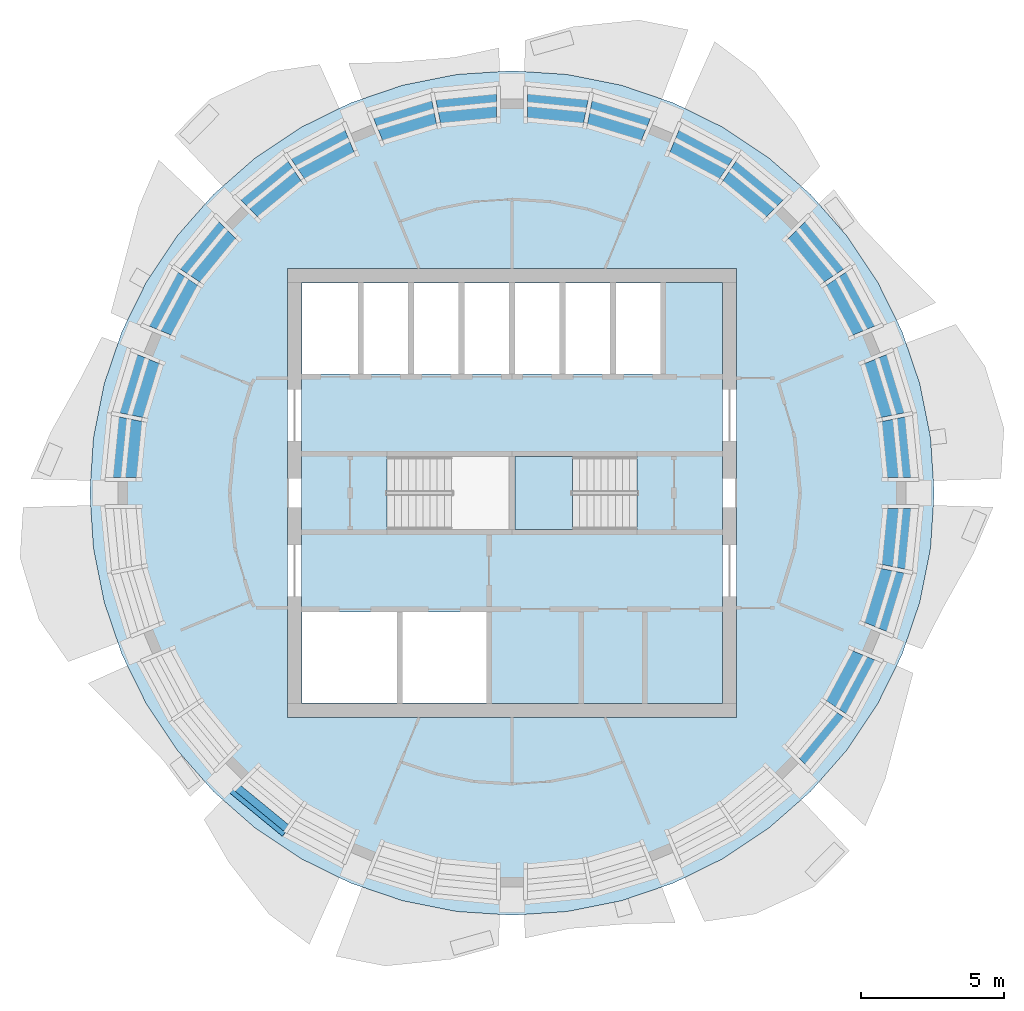
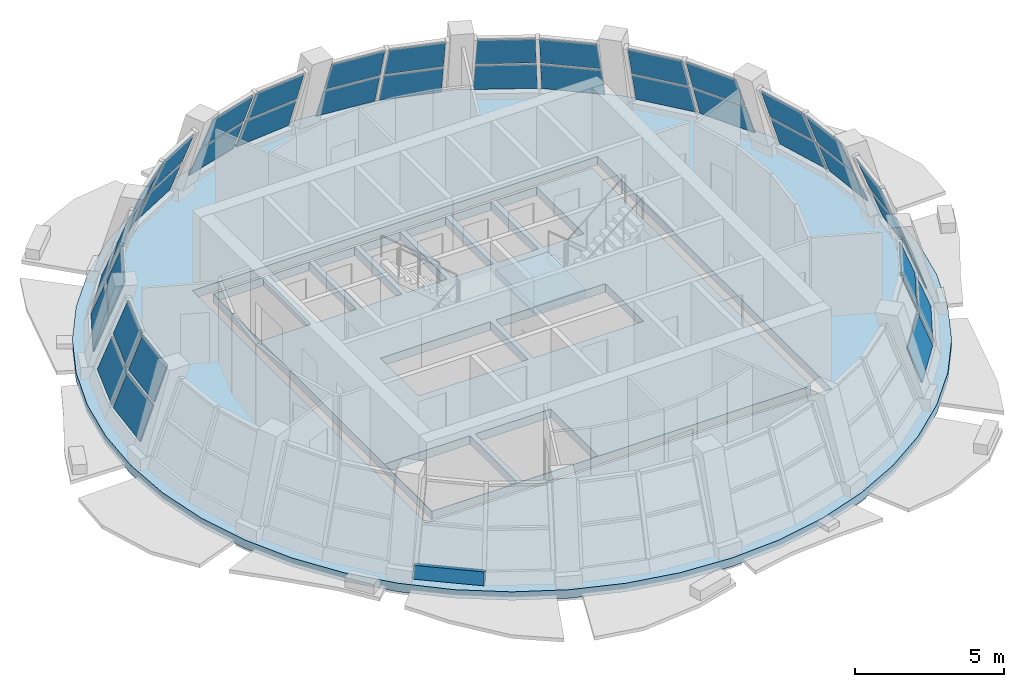
# One storey, part 4 of 12: 39 plates, 3 slabs, 1 wall, 11 elements without a shape of their own.
"""IFC4 building model written with IfcOpenShell, lengths in metres."""

from ifc_helpers import new_model, si_unit, direction, frame, origin, place, context, subcontext, project, spatial, polyline, outline, extrude, material, layer, layer_set, type_object, element, aggregate, save


model = new_model("IFC4")

# Units and contexts
model_context = context("Model", 3, precision=1e-05, world=origin(), true_north=direction((0.0, 1.0)))
body_context = subcontext(model_context, "Body", "Model", "MODEL_VIEW")
ifc_project = project(units=[si_unit("LENGTHUNIT", "METRE"), si_unit("AREAUNIT", "SQUARE_METRE"), si_unit("VOLUMEUNIT", "CUBIC_METRE"), si_unit("PLANEANGLEUNIT", "RADIAN"), si_unit("MASSUNIT", "GRAM", prefix="KILO")], contexts=[model_context])

# Site, building, storey
site_placement = place(None, origin())
site = spatial("IfcSite", under=ifc_project, at=site_placement, CompositionType="ELEMENT")
building_placement = place(site_placement, origin())
building = spatial("IfcBuilding", under=site, at=building_placement, Name="Polderwave Tower", CompositionType="ELEMENT")
storey_placement = place(building_placement, frame((0.0, 0.0, 231.199951171875)))
storey = spatial("IfcBuildingStorey", under=building, at=storey_placement, Name="L63", CompositionType="ELEMENT", Elevation=231.199951171875)

# Slabs
ifc_material_1 = material(Name="Concrete C40/50", Category="concrete")
ifc_layer_1 = layer(ifc_material_1, 0.35009765625)
ifc_layer_set_1 = layer_set([ifc_layer_1], Name="Core floor slab 350")
slab_type_1 = type_object("IfcSlabType", Name="Core floor slab 350", PredefinedType="FLOOR", material=ifc_layer_set_1)
slab_1_placement = place(storey_placement, frame((0.0, 0.0, -0.349853515625)))
element("IfcSlab", 1, at=slab_1_placement, inside=storey, type_object=slab_type_1, Name="L63 core floor", PredefinedType="FLOOR", context=body_context, shape_type="SweptSolid", body=[
    extrude(outline(polyline([(-7.3740234375, -7.3740234375), (7.3740234375, -7.3740234375), (7.3740234375, 7.3740234375), (-7.3740234375, 7.3740234375), (-7.3740234375, -7.3740234375)]), holes=[polyline([(-7.35400390625, -7.35400390625), (-4.037109375, -7.35400390625), (-4.037109375, -4.174072265625), (-7.35400390625, -4.174072265625), (-7.35400390625, -7.35400390625)]), polyline([(-3.8369140625, -7.35400390625), (-0.89990234375, -7.35400390625), (-0.89990234375, -4.174072265625), (-3.8369140625, -4.174072265625), (-3.8369140625, -7.35400390625)]), polyline([(-7.35400390625, 4.174072265625), (-5.405517578125, 4.174072265625), (-5.405517578125, 7.35400390625), (-7.35400390625, 7.35400390625), (-7.35400390625, 4.174072265625)]), polyline([(-5.20556640625, 4.174072265625), (-3.636962890625, 4.174072265625), (-3.636962890625, 7.35400390625), (-5.20556640625, 7.35400390625), (-5.20556640625, 4.174072265625)]), polyline([(-3.43701171875, 4.174072265625), (-1.868408203125, 4.174072265625), (-1.868408203125, 7.35400390625), (-3.43701171875, 7.35400390625), (-3.43701171875, 4.174072265625)]), polyline([(-1.66845703125, 4.174072265625), (-0.10009765625, 4.174072265625), (-0.10009765625, 7.35400390625), (-1.66845703125, 7.35400390625), (-1.66845703125, 4.174072265625)]), polyline([(0.10009765625, 4.174072265625), (1.66845703125, 4.174072265625), (1.66845703125, 7.35400390625), (0.10009765625, 7.35400390625), (0.10009765625, 4.174072265625)]), polyline([(1.868408203125, 4.174072265625), (3.43701171875, 4.174072265625), (3.43701171875, 7.35400390625), (1.868408203125, 7.35400390625), (1.868408203125, 4.174072265625)]), polyline([(3.636962890625, 4.174072265625), (5.20556640625, 4.174072265625), (5.20556640625, 7.35400390625), (3.636962890625, 7.35400390625), (3.636962890625, 4.174072265625)]), polyline([(-4.37353515625, -1.2744140625), (-0.1005859375, -1.2744140625), (-0.1005859375, 1.2744140625), (-4.37353515625, 1.2744140625), (-4.37353515625, -1.2744140625)]), polyline([(0.1005859375, -1.2744140625), (4.37353515625, -1.2744140625), (4.37353515625, 1.2744140625), (0.1005859375, 1.2744140625), (0.1005859375, -1.2744140625)])]), origin(), (0.0, 0.0, 1.0), 0.349853515625),
])
ifc_layer_2 = layer(ifc_material_1, 0.35009765625)
ifc_layer_set_2 = layer_set([ifc_layer_2], Name="PT FLOOR SLAB 350 C40/50")
slab_type_2 = type_object("IfcSlabType", Name="PT FLOOR SLAB 350 C40/50", PredefinedType="FLOOR", material=ifc_layer_set_2)
slab_2_placement = place(storey_placement, frame((0.0, 0.0, -0.349853515625)))
element("IfcSlab", 2, at=slab_2_placement, inside=storey, type_object=slab_type_2, Name="ST-SLAB-L63", PredefinedType="FLOOR", context=body_context, shape_type="SweptSolid", body=[
    extrude(outline(polyline([(14.800048828125, 0.0), (14.67333984375, 1.931884765625), (14.295654296875, 3.83056640625), (13.67333984375, 5.663818359375), (12.817138671875, 7.39990234375), (11.74169921875, 9.009765625), (10.465087890625, 10.465087890625), (9.009765625, 11.74169921875), (7.39990234375, 12.817138671875), (5.663818359375, 13.67333984375), (3.83056640625, 14.295654296875), (1.931884765625, 14.67333984375), (0.0, 14.800048828125), (-1.931884765625, 14.67333984375), (-3.83056640625, 14.295654296875), (-5.663818359375, 13.67333984375), (-7.39990234375, 12.817138671875), (-9.009765625, 11.74169921875), (-10.465087890625, 10.465087890625), (-11.74169921875, 9.009765625), (-12.817138671875, 7.39990234375), (-13.67333984375, 5.663818359375), (-14.295654296875, 3.83056640625), (-14.67333984375, 1.931884765625), (-14.800048828125, 0.0), (-14.67333984375, -1.931884765625), (-14.295654296875, -3.83056640625), (-13.67333984375, -5.663818359375), (-12.817138671875, -7.39990234375), (-11.74169921875, -9.009765625), (-10.465087890625, -10.465087890625), (-9.009765625, -11.74169921875), (-7.39990234375, -12.817138671875), (-5.663818359375, -13.67333984375), (-3.83056640625, -14.295654296875), (-1.931884765625, -14.67333984375), (0.0, -14.800048828125), (1.931884765625, -14.67333984375), (3.83056640625, -14.295654296875), (5.663818359375, -13.67333984375), (7.39990234375, -12.817138671875), (9.009765625, -11.74169921875), (10.465087890625, -10.465087890625), (11.74169921875, -9.009765625), (12.817138671875, -7.39990234375), (13.67333984375, -5.663818359375), (14.295654296875, -3.83056640625), (14.67333984375, -1.931884765625), (14.800048828125, 0.0)]), holes=[polyline([(-7.8740234375, -7.8740234375), (7.8740234375, -7.8740234375), (7.8740234375, 7.8740234375), (-7.8740234375, 7.8740234375), (-7.8740234375, -7.8740234375)])]), origin(), (0.0, 0.0, 1.0), 0.349853515625),
])

# Curtain wall, plates
ifc_material_2 = material(Name="Aluminium 6063-T6 and glass", Category="aluminium")
curtain_wall_type = type_object("IfcCurtainWallType", Name="Sky floor glazing, leaning storey wall", PredefinedType="NOTDEFINED", material=ifc_material_2)
curtain_wall_1_placement = place(storey_placement, origin())
curtain_wall_1 = element("IfcCurtainWall", 3, at=curtain_wall_1_placement, inside=storey, type_object=curtain_wall_type, Name="CW10 L63 00", PredefinedType="NOTDEFINED")
ifc_material_3 = material(Name="Glass, low-e laminated double glazing", Category="glass")
ifc_layer_3 = layer(ifc_material_3, 0.0439453125)
ifc_layer_set_3 = layer_set([ifc_layer_3], Name="Sky floor glazing, leaning storey glass panel 44 mm")
plate_type = type_object("IfcPlateType", Name="Sky floor glazing, leaning storey glass panel 44 mm", PredefinedType="CURTAIN_PANEL", material=ifc_layer_set_3)
plate_1_placement = place(storey_placement, frame((14.153564453125, 0.539306640625, 0.449951171875), z_axis=(0.930399256393, 0.091647065086, 0.354905676434), x_axis=(-0.09802095897, 0.995184350361, -1.9998532e-05)))
plate_1 = element("IfcPlate", 4, at=plate_1_placement, type_object=plate_type, Name="CW10 panel 1", PredefinedType="CURTAIN_PANEL", context=body_context, shape_type="SweptSolid", body=[
    extrude(outline(polyline([(0.0, 0.0), (2.1730510868447466, 1.3877787807814457e-17), (2.123713377479386, 1.4172538760449493), (0.049510457284205195, 1.4174241631550535), (0.0, 0.0)])), origin(), (0.0, 0.0, -1.0), 0.0439453125),
])
plate_2_placement = place(storey_placement, frame((13.60986328125, 0.539306640625, 1.875), z_axis=(0.930405426232, 0.09147355592, 0.354934263499), x_axis=(-0.097839480938, 0.99520220851, -1.2117476e-05)))
plate_2 = element("IfcPlate", 5, at=plate_2_placement, type_object=plate_type, Name="CW10 panel 2", PredefinedType="CURTAIN_PANEL", context=body_context, shape_type="SweptSolid", body=[
    extrude(outline(polyline([(0.0, 0.0), (2.066794359597762, -1.3877787807814457e-17), (2.0173753493965147, 1.4172510469834025), (0.049429190430116225, 1.4171987512009916), (0.0, 0.0)])), origin(), (0.0, 0.0, -1.0), 0.0439453125),
])
plate_3_placement = place(storey_placement, frame((13.913330078125, 2.838623046875, 0.449951171875), z_axis=(0.894809000311, 0.271232427198, 0.354612215524), x_axis=(-0.290084544727, 0.957001022418, 1.554744e-06)))
plate_3 = element("IfcPlate", 6, at=plate_3_placement, type_object=plate_type, Name="CW10 panel 3", PredefinedType="CURTAIN_PANEL", context=body_context, shape_type="SweptSolid", body=[
    extrude(outline(polyline([(0.0, 0.0), (2.173030518417298, -2.7755575615628914e-17), (2.1233271967300715, 1.4172972510548516), (0.049540666105299724, 1.4173043126788745), (0.0, 0.0)])), origin(), (0.0, 0.0, -1.0), 0.0439453125),
])
plate_4_placement = place(storey_placement, frame((13.380615234375, 2.73291015625, 1.875), z_axis=(0.894718657232, 0.27137026991, 0.354734691015), x_axis=(-0.290253372262, 0.956949831213, 2.0785959e-05)))
plate_4 = element("IfcPlate", 7, at=plate_4_placement, type_object=plate_type, Name="CW10 panel 4", PredefinedType="CURTAIN_PANEL", context=body_context, shape_type="SweptSolid", body=[
    extrude(outline(polyline([(0.0, 0.0), (2.0662815475198637, 2.7755575615628914e-17), (2.0164587458656196, 1.4173263792306952), (0.049725676052363506, 1.417154918046384), (0.0, 0.0)])), origin(), (0.0, 0.0, -1.0), 0.0439453125),
])
aggregate(curtain_wall_1, [plate_1, plate_2, plate_3, plate_4])

curtain_wall_2_placement = place(storey_placement, origin())
curtain_wall_2 = element("IfcCurtainWall", 8, at=curtain_wall_2_placement, inside=storey, type_object=curtain_wall_type, Name="CW10 L63 01", PredefinedType="NOTDEFINED")
plate_5_placement = place(storey_placement, frame((12.870361328125, 5.914794921875, 0.449951171875), z_axis=(0.824407783297, 0.440896705905, 0.354911117833), x_axis=(-0.471601238954, 0.881811925132, 1.0591349e-05)))
plate_5 = element("IfcPlate", 9, at=plate_5_placement, type_object=plate_type, Name="CW10 panel 1", PredefinedType="CURTAIN_PANEL", context=body_context, shape_type="SweptSolid", body=[
    extrude(outline(polyline([(0.0, 0.0), (2.1731259280979955, 5.551115123125783e-17), (2.123711742939144, 1.4171875194744041), (0.04954926839159157, 1.4174967772826053), (0.0, 0.0)])), origin(), (0.0, 0.0, -1.0), 0.0439453125),
])
plate_6_placement = place(storey_placement, frame((12.3681640625, 5.70654296875, 1.875), z_axis=(0.824438831056, 0.440790758493, 0.354970591845), x_axis=(-0.471493402395, 0.881869588686, -7.029787e-06)))
plate_6 = element("IfcPlate", 10, at=plate_6_placement, type_object=plate_type, Name="CW10 panel 2", PredefinedType="CURTAIN_PANEL", context=body_context, shape_type="SweptSolid", body=[
    extrude(outline(polyline([(0.0, 0.0), (2.0666227169181397, 0.0), (2.017238796332703, 1.4172609769407765), (0.04967969089085741, 1.4172306420153777), (0.0, 0.0)])), origin(), (0.0, 0.0, -1.0), 0.0439453125),
])
plate_7_placement = place(storey_placement, frame((11.76806640625, 7.94677734375, 0.449951171875), z_axis=(0.72286643256, 0.592984766823, 0.354729737962), x_axis=(-0.63423540453, 0.773139994582, 2.0423625e-05)))
plate_7 = element("IfcPlate", 11, at=plate_7_placement, type_object=plate_type, Name="CW10 panel 3", PredefinedType="CURTAIN_PANEL", context=body_context, shape_type="SweptSolid", body=[
    extrude(outline(polyline([(0.0, 0.0), (2.1735961699449584, -5.551115123125783e-17), (2.1236660109590892, 1.4173219700936377), (0.04944311446927759, 1.4174147602038998), (0.0, 0.0)])), origin(), (0.0, 0.0, -1.0), 0.0439453125),
])
plate_8_placement = place(storey_placement, frame((11.31640625, 7.64501953125, 1.875), z_axis=(0.722710143515, 0.593158133114, 0.354758336874), x_axis=(-0.634430098693, 0.772980238523, 2.6926669e-05)))
plate_8 = element("IfcPlate", 12, at=plate_8_placement, type_object=plate_type, Name="CW10 panel 4", PredefinedType="CURTAIN_PANEL", context=body_context, shape_type="SweptSolid", body=[
    extrude(outline(polyline([(0.0, 0.0), (2.06668304705499, 0.0), (2.016888099069515, 1.417326723764326), (0.04957838295473363, 1.4171817775401245), (0.0, 0.0)])), origin(), (0.0, 0.0, -1.0), 0.0439453125),
])
aggregate(curtain_wall_2, [plate_5, plate_6, plate_7, plate_8])

curtain_wall_3_placement = place(storey_placement, origin())
curtain_wall_3 = element("IfcCurtainWall", 13, at=curtain_wall_3_placement, inside=storey, type_object=curtain_wall_type, Name="CW10 L63 02", PredefinedType="NOTDEFINED")
plate_9_placement = place(storey_placement, frame((9.627197265625, 10.389404296875, 0.449951171875), z_axis=(0.592967052885, 0.722757775373, 0.354980664729), x_axis=(-0.773107246266, 0.634275323318, -8.34618e-07)))
plate_9 = element("IfcPlate", 14, at=plate_9_placement, type_object=plate_type, Name="CW10 panel 1", PredefinedType="CURTAIN_PANEL", context=body_context, shape_type="SweptSolid", body=[
    extrude(outline(polyline([(0.0, 0.0), (2.173596173541578, 5.551115123125783e-17), (2.1239981991721435, 1.41725350271533), (0.04980920706495231, 1.417510858723486), (0.0, 0.0)])), origin(), (0.0, 0.0, -1.0), 0.0439453125),
])
plate_10_placement = place(storey_placement, frame((9.242431640625, 10.005126953125, 1.875), z_axis=(0.593136596283, 0.722581133892, 0.355057013862), x_axis=(-0.772941557402, 0.634477224829, -3.79675e-06)))
plate_10 = element("IfcPlate", 15, at=plate_10_placement, type_object=plate_type, Name="CW10 panel 2", PredefinedType="CURTAIN_PANEL", context=body_context, shape_type="SweptSolid", body=[
    extrude(outline(polyline([(0.0, 0.0), (2.06668305288994, 5.551115123125783e-17), (2.017138459739057, 1.4173037547171323), (0.04967385729591405, 1.4172873705524436), (0.0, 0.0)])), origin(), (0.0, 0.0, -1.0), 0.0439453125),
])
plate_11_placement = place(storey_placement, frame((7.8310546875, 11.845458984375, 0.449951171875), z_axis=(0.440991167485, 0.824426700023, 0.354749780113), x_axis=(-0.88177912994, 0.471662554961, 1.5797799e-05)))
plate_11 = element("IfcPlate", 16, at=plate_11_placement, type_object=plate_type, Name="CW10 panel 3", PredefinedType="CURTAIN_PANEL", context=body_context, shape_type="SweptSolid", body=[
    extrude(outline(polyline([(0.0, 0.0), (2.173125926910861, 5.551115123125783e-17), (2.1238069469218415, 1.4173440021161872), (0.0494141828115768, 1.4174157713407327), (0.0, 0.0)])), origin(), (0.0, 0.0, -1.0), 0.0439453125),
])
plate_12_placement = place(storey_placement, frame((7.529052734375, 11.393798828125, 1.875), z_axis=(0.44087727192, 0.824505874789, 0.354707335056), x_axis=(-0.88184988815, 0.471530247435, 2.2874576e-05)))
plate_12 = element("IfcPlate", 17, at=plate_12_placement, type_object=plate_type, Name="CW10 panel 4", PredefinedType="CURTAIN_PANEL", context=body_context, shape_type="SweptSolid", body=[
    extrude(outline(polyline([(0.0, 0.0), (2.066622713026084, -5.551115123125783e-17), (2.017173243241897, 1.4173061244139769), (0.04928371727824402, 1.4171437109995688), (0.0, 0.0)])), origin(), (0.0, 0.0, -1.0), 0.0439453125),
])
aggregate(curtain_wall_3, [plate_9, plate_10, plate_11, plate_12])

curtain_wall_4_placement = place(storey_placement, origin())
curtain_wall_4 = element("IfcCurtainWall", 18, at=curtain_wall_4_placement, inside=storey, type_object=curtain_wall_type, Name="CW10 L63 03", PredefinedType="NOTDEFINED")
plate_13_placement = place(storey_placement, frame((4.918212890625, 13.282958984375, 0.449951171875), z_axis=(0.271176581522, 0.894748818055, 0.354806727985), x_axis=(-0.957010781538, 0.290052346682, -1.4323716e-05)))
plate_13 = element("IfcPlate", 19, at=plate_13_placement, type_object=plate_type, Name="CW10 panel 1", PredefinedType="CURTAIN_PANEL", context=body_context, shape_type="SweptSolid", body=[
    extrude(outline(polyline([(0.0, 0.0), (2.1730305166674078, 0.0), (2.123652674179683, 1.4171840533906883), (0.049632495847560146, 1.417380116391567), (0.0, 0.0)])), origin(), (0.0, 0.0, -1.0), 0.0439453125),
])
plate_14_placement = place(storey_placement, frame((4.710205078125, 12.78076171875, 1.875), z_axis=(0.271353670768, 0.894646544561, 0.35492921219), x_axis=(-0.956948459513, 0.290257894768, -1.9004807e-05)))
plate_14 = element("IfcPlate", 20, at=plate_14_placement, type_object=plate_type, Name="CW10 panel 2", PredefinedType="CURTAIN_PANEL", context=body_context, shape_type="SweptSolid", body=[
    extrude(outline(polyline([(0.0, 0.0), (2.066281548104996, 0.0), (2.016718621904961, 1.4172629885724353), (0.04975192737120978, 1.417180999416361), (0.0, 0.0)])), origin(), (0.0, 0.0, -1.0), 0.0439453125),
])
plate_15_placement = place(storey_placement, frame((2.701904296875, 13.940673828125, 0.449951171875), z_axis=(0.091633398487, 0.930468638129, 0.354727266699), x_axis=(-0.995186219339, 0.098001983012, 1.2752723e-05)))
plate_15 = element("IfcPlate", 21, at=plate_15_placement, type_object=plate_type, Name="CW10 panel 3", PredefinedType="CURTAIN_PANEL", context=body_context, shape_type="SweptSolid", body=[
    extrude(outline(polyline([(0.0, 0.0), (2.173051088890387, -1.3877787807814457e-17), (2.1235645456601255, 1.4173379734492588), (0.049361631508813904, 1.417395904788711), (0.0, 0.0)])), origin(), (0.0, 0.0, -1.0), 0.0439453125),
])
plate_16_placement = place(storey_placement, frame((2.59619140625, 13.40771484375, 1.875), z_axis=(0.091448287875, 0.930504523382, 0.354680902518), x_axis=(-0.995205394792, 0.097807066084, -2.48029e-07)))
plate_16 = element("IfcPlate", 22, at=plate_16_placement, type_object=plate_type, Name="CW10 panel 4", PredefinedType="CURTAIN_PANEL", context=body_context, shape_type="SweptSolid", body=[
    extrude(outline(polyline([(0.0, 0.0), (2.0667943608017256, 0.0), (2.0173890468295816, 1.4173408094013742), (0.04946677025460004, 1.4170786226058576), (0.0, 0.0)])), origin(), (0.0, 0.0, -1.0), 0.0439453125),
])
aggregate(curtain_wall_4, [plate_13, plate_14, plate_15, plate_16])

curtain_wall_5_placement = place(storey_placement, origin())
curtain_wall_5 = element("IfcCurtainWall", 23, at=curtain_wall_5_placement, inside=storey, type_object=curtain_wall_type, Name="CW10 L63 04", PredefinedType="NOTDEFINED")
plate_17_placement = place(storey_placement, frame((-0.539306640625, 14.153564453125, 0.449951171875), z_axis=(-0.091647065086, 0.930399256393, 0.354905676434), x_axis=(-0.995184350361, -0.09802095897, -1.9998532e-05)))
plate_17 = element("IfcPlate", 24, at=plate_17_placement, type_object=plate_type, Name="CW10 panel 1", PredefinedType="CURTAIN_PANEL", context=body_context, shape_type="SweptSolid", body=[
    extrude(outline(polyline([(0.0, 0.0), (2.1730510868447466, 1.3877787807814457e-17), (2.123713377479386, 1.4172538760449493), (0.049510457284205195, 1.4174241631550535), (0.0, 0.0)])), origin(), (0.0, 0.0, -1.0), 0.0439453125),
])
plate_18_placement = place(storey_placement, frame((-0.539306640625, 13.60986328125, 1.875), z_axis=(-0.09147355592, 0.930405426232, 0.354934263499), x_axis=(-0.99520220851, -0.097839480938, -1.2117476e-05)))
plate_18 = element("IfcPlate", 25, at=plate_18_placement, type_object=plate_type, Name="CW10 panel 2", PredefinedType="CURTAIN_PANEL", context=body_context, shape_type="SweptSolid", body=[
    extrude(outline(polyline([(0.0, 0.0), (2.066794359597762, -1.3877787807814457e-17), (2.0173753493965147, 1.4172510469834025), (0.049429190430116225, 1.4171987512009916), (0.0, 0.0)])), origin(), (0.0, 0.0, -1.0), 0.0439453125),
])
plate_19_placement = place(storey_placement, frame((-2.838623046875, 13.913330078125, 0.449951171875), z_axis=(-0.271232427198, 0.894809000311, 0.354612215524), x_axis=(-0.957001022418, -0.290084544727, 1.554744e-06)))
plate_19 = element("IfcPlate", 26, at=plate_19_placement, type_object=plate_type, Name="CW10 panel 3", PredefinedType="CURTAIN_PANEL", context=body_context, shape_type="SweptSolid", body=[
    extrude(outline(polyline([(0.0, 0.0), (2.173030518417298, -2.7755575615628914e-17), (2.1233271967300715, 1.4172972510548516), (0.049540666105299724, 1.4173043126788745), (0.0, 0.0)])), origin(), (0.0, 0.0, -1.0), 0.0439453125),
])
plate_20_placement = place(storey_placement, frame((-2.73291015625, 13.380615234375, 1.875), z_axis=(-0.27137026991, 0.894718657232, 0.354734691015), x_axis=(-0.956949831213, -0.290253372262, 2.0785959e-05)))
plate_20 = element("IfcPlate", 27, at=plate_20_placement, type_object=plate_type, Name="CW10 panel 4", PredefinedType="CURTAIN_PANEL", context=body_context, shape_type="SweptSolid", body=[
    extrude(outline(polyline([(0.0, 0.0), (2.0662815475198637, 2.7755575615628914e-17), (2.0164587458656196, 1.4173263792306952), (0.049725676052363506, 1.417154918046384), (0.0, 0.0)])), origin(), (0.0, 0.0, -1.0), 0.0439453125),
])
aggregate(curtain_wall_5, [plate_17, plate_18, plate_19, plate_20])

curtain_wall_6_placement = place(storey_placement, origin())
curtain_wall_6 = element("IfcCurtainWall", 28, at=curtain_wall_6_placement, inside=storey, type_object=curtain_wall_type, Name="CW10 L63 05", PredefinedType="NOTDEFINED")
plate_21_placement = place(storey_placement, frame((-5.914794921875, 12.870361328125, 0.449951171875), z_axis=(-0.440896705905, 0.824407783297, 0.354911117833), x_axis=(-0.881811925132, -0.471601238954, 1.0591349e-05)))
plate_21 = element("IfcPlate", 29, at=plate_21_placement, type_object=plate_type, Name="CW10 panel 1", PredefinedType="CURTAIN_PANEL", context=body_context, shape_type="SweptSolid", body=[
    extrude(outline(polyline([(0.0, 0.0), (2.1731259280979955, 5.551115123125783e-17), (2.123711742939144, 1.4171875194744041), (0.04954926839159157, 1.4174967772826053), (0.0, 0.0)])), origin(), (0.0, 0.0, -1.0), 0.0439453125),
])
plate_22_placement = place(storey_placement, frame((-5.70654296875, 12.3681640625, 1.875), z_axis=(-0.440790758493, 0.824438831056, 0.354970591845), x_axis=(-0.881869588686, -0.471493402395, -7.029787e-06)))
plate_22 = element("IfcPlate", 30, at=plate_22_placement, type_object=plate_type, Name="CW10 panel 2", PredefinedType="CURTAIN_PANEL", context=body_context, shape_type="SweptSolid", body=[
    extrude(outline(polyline([(0.0, 0.0), (2.0666227169181397, 0.0), (2.017238796332703, 1.4172609769407765), (0.04967969089085741, 1.4172306420153777), (0.0, 0.0)])), origin(), (0.0, 0.0, -1.0), 0.0439453125),
])
plate_23_placement = place(storey_placement, frame((-7.94677734375, 11.76806640625, 0.449951171875), z_axis=(-0.592984766823, 0.72286643256, 0.354729737962), x_axis=(-0.773139994582, -0.63423540453, 2.0423625e-05)))
plate_23 = element("IfcPlate", 31, at=plate_23_placement, type_object=plate_type, Name="CW10 panel 3", PredefinedType="CURTAIN_PANEL", context=body_context, shape_type="SweptSolid", body=[
    extrude(outline(polyline([(0.0, 0.0), (2.1735961699449584, -5.551115123125783e-17), (2.1236660109590892, 1.4173219700936377), (0.04944311446927759, 1.4174147602038998), (0.0, 0.0)])), origin(), (0.0, 0.0, -1.0), 0.0439453125),
])
plate_24_placement = place(storey_placement, frame((-7.64501953125, 11.31640625, 1.875), z_axis=(-0.593158133114, 0.722710143515, 0.354758336874), x_axis=(-0.772980238523, -0.634430098693, 2.6926669e-05)))
plate_24 = element("IfcPlate", 32, at=plate_24_placement, type_object=plate_type, Name="CW10 panel 4", PredefinedType="CURTAIN_PANEL", context=body_context, shape_type="SweptSolid", body=[
    extrude(outline(polyline([(0.0, 0.0), (2.06668304705499, 0.0), (2.016888099069515, 1.417326723764326), (0.04957838295473363, 1.4171817775401245), (0.0, 0.0)])), origin(), (0.0, 0.0, -1.0), 0.0439453125),
])
aggregate(curtain_wall_6, [plate_21, plate_22, plate_23, plate_24])

curtain_wall_7_placement = place(storey_placement, origin())
curtain_wall_7 = element("IfcCurtainWall", 33, at=curtain_wall_7_placement, inside=storey, type_object=curtain_wall_type, Name="CW10 L63 06", PredefinedType="NOTDEFINED")
plate_25_placement = place(storey_placement, frame((-10.389404296875, 9.627197265625, 0.449951171875), z_axis=(-0.722757775373, 0.592967052885, 0.354980664729), x_axis=(-0.634275323318, -0.773107246266, -8.34618e-07)))
plate_25 = element("IfcPlate", 34, at=plate_25_placement, type_object=plate_type, Name="CW10 panel 1", PredefinedType="CURTAIN_PANEL", context=body_context, shape_type="SweptSolid", body=[
    extrude(outline(polyline([(0.0, 0.0), (2.173596173541578, 5.551115123125783e-17), (2.1239981991721435, 1.41725350271533), (0.04980920706495231, 1.417510858723486), (0.0, 0.0)])), origin(), (0.0, 0.0, -1.0), 0.0439453125),
])
plate_26_placement = place(storey_placement, frame((-10.005126953125, 9.242431640625, 1.875), z_axis=(-0.722581133892, 0.593136596283, 0.355057013862), x_axis=(-0.634477224829, -0.772941557402, -3.79675e-06)))
plate_26 = element("IfcPlate", 35, at=plate_26_placement, type_object=plate_type, Name="CW10 panel 2", PredefinedType="CURTAIN_PANEL", context=body_context, shape_type="SweptSolid", body=[
    extrude(outline(polyline([(0.0, 0.0), (2.06668305288994, 5.551115123125783e-17), (2.017138459739057, 1.4173037547171323), (0.04967385729591405, 1.4172873705524436), (0.0, 0.0)])), origin(), (0.0, 0.0, -1.0), 0.0439453125),
])
plate_27_placement = place(storey_placement, frame((-11.845458984375, 7.8310546875, 0.449951171875), z_axis=(-0.824426700023, 0.440991167485, 0.354749780113), x_axis=(-0.471662554961, -0.88177912994, 1.5797799e-05)))
plate_27 = element("IfcPlate", 36, at=plate_27_placement, type_object=plate_type, Name="CW10 panel 3", PredefinedType="CURTAIN_PANEL", context=body_context, shape_type="SweptSolid", body=[
    extrude(outline(polyline([(0.0, 0.0), (2.173125926910861, 5.551115123125783e-17), (2.1238069469218415, 1.4173440021161872), (0.0494141828115768, 1.4174157713407327), (0.0, 0.0)])), origin(), (0.0, 0.0, -1.0), 0.0439453125),
])
plate_28_placement = place(storey_placement, frame((-11.393798828125, 7.529052734375, 1.875), z_axis=(-0.824505874789, 0.44087727192, 0.354707335056), x_axis=(-0.471530247435, -0.88184988815, 2.2874576e-05)))
plate_28 = element("IfcPlate", 37, at=plate_28_placement, type_object=plate_type, Name="CW10 panel 4", PredefinedType="CURTAIN_PANEL", context=body_context, shape_type="SweptSolid", body=[
    extrude(outline(polyline([(0.0, 0.0), (2.066622713026084, -5.551115123125783e-17), (2.017173243241897, 1.4173061244139769), (0.04928371727824402, 1.4171437109995688), (0.0, 0.0)])), origin(), (0.0, 0.0, -1.0), 0.0439453125),
])
aggregate(curtain_wall_7, [plate_25, plate_26, plate_27, plate_28])

curtain_wall_8_placement = place(storey_placement, origin())
curtain_wall_8 = element("IfcCurtainWall", 38, at=curtain_wall_8_placement, inside=storey, type_object=curtain_wall_type, Name="CW10 L63 07", PredefinedType="NOTDEFINED")
plate_29_placement = place(storey_placement, frame((-13.282958984375, 4.918212890625, 0.449951171875), z_axis=(-0.894748818055, 0.271176581522, 0.354806727985), x_axis=(-0.290052346682, -0.957010781538, -1.4323716e-05)))
plate_29 = element("IfcPlate", 39, at=plate_29_placement, type_object=plate_type, Name="CW10 panel 1", PredefinedType="CURTAIN_PANEL", context=body_context, shape_type="SweptSolid", body=[
    extrude(outline(polyline([(0.0, 0.0), (2.1730305166674078, 0.0), (2.123652674179683, 1.4171840533906883), (0.049632495847560146, 1.417380116391567), (0.0, 0.0)])), origin(), (0.0, 0.0, -1.0), 0.0439453125),
])
plate_30_placement = place(storey_placement, frame((-12.78076171875, 4.710205078125, 1.875), z_axis=(-0.894646544561, 0.271353670768, 0.35492921219), x_axis=(-0.290257894768, -0.956948459513, -1.9004807e-05)))
plate_30 = element("IfcPlate", 40, at=plate_30_placement, type_object=plate_type, Name="CW10 panel 2", PredefinedType="CURTAIN_PANEL", context=body_context, shape_type="SweptSolid", body=[
    extrude(outline(polyline([(0.0, 0.0), (2.066281548104996, 0.0), (2.016718621904961, 1.4172629885724353), (0.04975192737120978, 1.417180999416361), (0.0, 0.0)])), origin(), (0.0, 0.0, -1.0), 0.0439453125),
])
plate_31_placement = place(storey_placement, frame((-13.940673828125, 2.701904296875, 0.449951171875), z_axis=(-0.930468638129, 0.091633398487, 0.354727266699), x_axis=(-0.098001983012, -0.995186219339, 1.2752723e-05)))
plate_31 = element("IfcPlate", 41, at=plate_31_placement, type_object=plate_type, Name="CW10 panel 3", PredefinedType="CURTAIN_PANEL", context=body_context, shape_type="SweptSolid", body=[
    extrude(outline(polyline([(0.0, 0.0), (2.173051088890387, -1.3877787807814457e-17), (2.1235645456601255, 1.4173379734492588), (0.049361631508813904, 1.417395904788711), (0.0, 0.0)])), origin(), (0.0, 0.0, -1.0), 0.0439453125),
])
plate_32_placement = place(storey_placement, frame((-13.40771484375, 2.59619140625, 1.875), z_axis=(-0.930504523382, 0.091448287875, 0.354680902518), x_axis=(-0.097807066084, -0.995205394792, -2.48029e-07)))
plate_32 = element("IfcPlate", 42, at=plate_32_placement, type_object=plate_type, Name="CW10 panel 4", PredefinedType="CURTAIN_PANEL", context=body_context, shape_type="SweptSolid", body=[
    extrude(outline(polyline([(0.0, 0.0), (2.0667943608017256, 0.0), (2.0173890468295816, 1.4173408094013742), (0.04946677025460004, 1.4170786226058576), (0.0, 0.0)])), origin(), (0.0, 0.0, -1.0), 0.0439453125),
])
aggregate(curtain_wall_8, [plate_29, plate_30, plate_31, plate_32])

curtain_wall_9_placement = place(storey_placement, origin())
curtain_wall_9 = element("IfcCurtainWall", 43, at=curtain_wall_9_placement, inside=storey, type_object=curtain_wall_type, Name="CW10 L63 14", PredefinedType="NOTDEFINED")
plate_33_placement = place(storey_placement, frame((10.389404296875, -9.627197265625, 0.449951171875), z_axis=(0.722757775373, -0.592967052885, 0.354980664729), x_axis=(0.634275323318, 0.773107246266, -8.34618e-07)))
plate_33 = element("IfcPlate", 44, at=plate_33_placement, type_object=plate_type, Name="CW10 panel 1", PredefinedType="CURTAIN_PANEL", context=body_context, shape_type="SweptSolid", body=[
    extrude(outline(polyline([(0.0, 0.0), (2.173596173541578, 5.551115123125783e-17), (2.1239981991721435, 1.41725350271533), (0.04980920706495231, 1.417510858723486), (0.0, 0.0)])), origin(), (0.0, 0.0, -1.0), 0.0439453125),
])
plate_34_placement = place(storey_placement, frame((11.845458984375, -7.8310546875, 0.449951171875), z_axis=(0.824426700023, -0.440991167485, 0.354749780113), x_axis=(0.471662554961, 0.88177912994, 1.5797799e-05)))
plate_34 = element("IfcPlate", 45, at=plate_34_placement, type_object=plate_type, Name="CW10 panel 3", PredefinedType="CURTAIN_PANEL", context=body_context, shape_type="SweptSolid", body=[
    extrude(outline(polyline([(0.0, 0.0), (2.173125926910861, 5.551115123125783e-17), (2.1238069469218415, 1.4173440021161872), (0.0494141828115768, 1.4174157713407327), (0.0, 0.0)])), origin(), (0.0, 0.0, -1.0), 0.0439453125),
])
plate_35_placement = place(storey_placement, frame((11.393798828125, -7.529052734375, 1.875), z_axis=(0.824505874789, -0.44087727192, 0.354707335056), x_axis=(0.471530247435, 0.88184988815, 2.2874576e-05)))
plate_35 = element("IfcPlate", 46, at=plate_35_placement, type_object=plate_type, Name="CW10 panel 4", PredefinedType="CURTAIN_PANEL", context=body_context, shape_type="SweptSolid", body=[
    extrude(outline(polyline([(0.0, 0.0), (2.066622713026084, -5.551115123125783e-17), (2.017173243241897, 1.4173061244139769), (0.04928371727824402, 1.4171437109995688), (0.0, 0.0)])), origin(), (0.0, 0.0, -1.0), 0.0439453125),
])
aggregate(curtain_wall_9, [plate_33, plate_34, plate_35])

curtain_wall_10_placement = place(storey_placement, origin())
curtain_wall_10 = element("IfcCurtainWall", 47, at=curtain_wall_10_placement, inside=storey, type_object=curtain_wall_type, Name="CW10 L63 15", PredefinedType="NOTDEFINED")
plate_36_placement = place(storey_placement, frame((13.282958984375, -4.918212890625, 0.449951171875), z_axis=(0.894748818055, -0.271176581522, 0.354806727985), x_axis=(0.290052346682, 0.957010781538, -1.4323716e-05)))
plate_36 = element("IfcPlate", 48, at=plate_36_placement, type_object=plate_type, Name="CW10 panel 1", PredefinedType="CURTAIN_PANEL", context=body_context, shape_type="SweptSolid", body=[
    extrude(outline(polyline([(0.0, 0.0), (2.1730305166674078, 0.0), (2.123652674179683, 1.4171840533906883), (0.049632495847560146, 1.417380116391567), (0.0, 0.0)])), origin(), (0.0, 0.0, -1.0), 0.0439453125),
])
plate_37_placement = place(storey_placement, frame((12.78076171875, -4.710205078125, 1.875), z_axis=(0.894646544561, -0.271353670768, 0.35492921219), x_axis=(0.290257894768, 0.956948459513, -1.9004807e-05)))
plate_37 = element("IfcPlate", 49, at=plate_37_placement, type_object=plate_type, Name="CW10 panel 2", PredefinedType="CURTAIN_PANEL", context=body_context, shape_type="SweptSolid", body=[
    extrude(outline(polyline([(0.0, 0.0), (2.066281548104996, 0.0), (2.016718621904961, 1.4172629885724353), (0.04975192737120978, 1.417180999416361), (0.0, 0.0)])), origin(), (0.0, 0.0, -1.0), 0.0439453125),
])
plate_38_placement = place(storey_placement, frame((13.940673828125, -2.701904296875, 0.449951171875), z_axis=(0.930468638129, -0.091633398487, 0.354727266699), x_axis=(0.098001983012, 0.995186219339, 1.2752723e-05)))
plate_38 = element("IfcPlate", 50, at=plate_38_placement, type_object=plate_type, Name="CW10 panel 3", PredefinedType="CURTAIN_PANEL", context=body_context, shape_type="SweptSolid", body=[
    extrude(outline(polyline([(0.0, 0.0), (2.173051088890387, -1.3877787807814457e-17), (2.1235645456601255, 1.4173379734492588), (0.049361631508813904, 1.417395904788711), (0.0, 0.0)])), origin(), (0.0, 0.0, -1.0), 0.0439453125),
])
plate_39_placement = place(storey_placement, frame((13.40771484375, -2.59619140625, 1.875), z_axis=(0.930504523382, -0.091448287875, 0.354680902518), x_axis=(0.097807066084, 0.995205394792, -2.48029e-07)))
plate_39 = element("IfcPlate", 51, at=plate_39_placement, type_object=plate_type, Name="CW10 panel 4", PredefinedType="CURTAIN_PANEL", context=body_context, shape_type="SweptSolid", body=[
    extrude(outline(polyline([(0.0, 0.0), (2.0667943608017256, 0.0), (2.0173890468295816, 1.4173408094013742), (0.04946677025460004, 1.4170786226058576), (0.0, 0.0)])), origin(), (0.0, 0.0, -1.0), 0.0439453125),
])
aggregate(curtain_wall_10, [plate_36, plate_37, plate_38, plate_39])

# Stair, slab
stair_type = type_object("IfcStairType", Name="Exit stair 1200 x 20 risers", PredefinedType="HALF_TURN_STAIR", material=ifc_material_1)
stair_placement = place(storey_placement, origin())
stair = element("IfcStair", 52, at=stair_placement, inside=storey, type_object=stair_type, Name="L63 Exit stair B", PredefinedType="HALF_TURN_STAIR")
ifc_layer_4 = layer(ifc_material_1, 0.300048828125)
ifc_layer_set_4 = layer_set([ifc_layer_4], Name="Stair landing 300")
slab_type_3 = type_object("IfcSlabType", Name="Stair landing 300", PredefinedType="LANDING", material=ifc_layer_set_4)
slab_3_placement = place(storey_placement, frame((0.0, 0.0, 1.800048828125)))
slab_3 = element("IfcSlab", 53, at=slab_3_placement, type_object=slab_type_3, Name="ST-B landing 1", PredefinedType="LANDING", context=body_context, shape_type="SweptSolid", body=[
    extrude(outline(polyline([(2.1240234375, 1.27490234375), (0.10009765625, 1.27490234375), (0.10009765625, -1.27490234375), (2.1240234375, -1.27490234375), (2.1240234375, 1.27490234375)])), origin(), (0.0, 0.0, 1.0), 0.300048828125),
])
aggregate(stair, [slab_3])

# Wall
ifc_material_4 = material(Name="Concrete C50/60 (board-marked)", Category="concrete")
ifc_layer_5 = layer(ifc_material_4, 0.300048828125)
ifc_layer_set_5 = layer_set([ifc_layer_5], Name="Concrete spandrel upstand C50/60")
wall_type = type_object("IfcWallType", Name="Concrete spandrel upstand C50/60", PredefinedType="SOLIDWALL", material=ifc_layer_set_5)
wall_placement = place(storey_placement, frame((-9.92578125, -10.49462890625, 0.0), z_axis=(-0.59284076781, -0.722862546463, 0.354978257002), x_axis=(0.773221096766, -0.634136527431, 9.701072e-06)))
element("IfcWall", 54, at=wall_placement, inside=storey, type_object=wall_type, Name="Spandrel L63 11a", PredefinedType="SOLIDWALL", context=body_context, shape_type="SweptSolid", body=[
    extrude(outline(polyline([(0.0, 0.0), (2.434026504244632, -5.551115123125783e-17), (2.417427772773025, 0.48127068702229653), (0.017069367952327243, 0.48132085280908643), (0.0, 0.0)])), origin(), (0.0, 0.0, -1.0), 0.300048828125),
])

save(model, "model.ifc")
